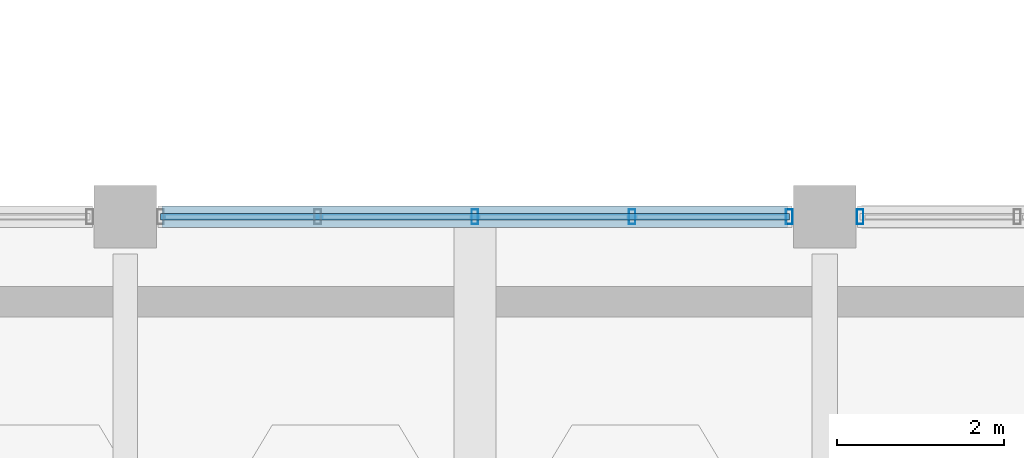
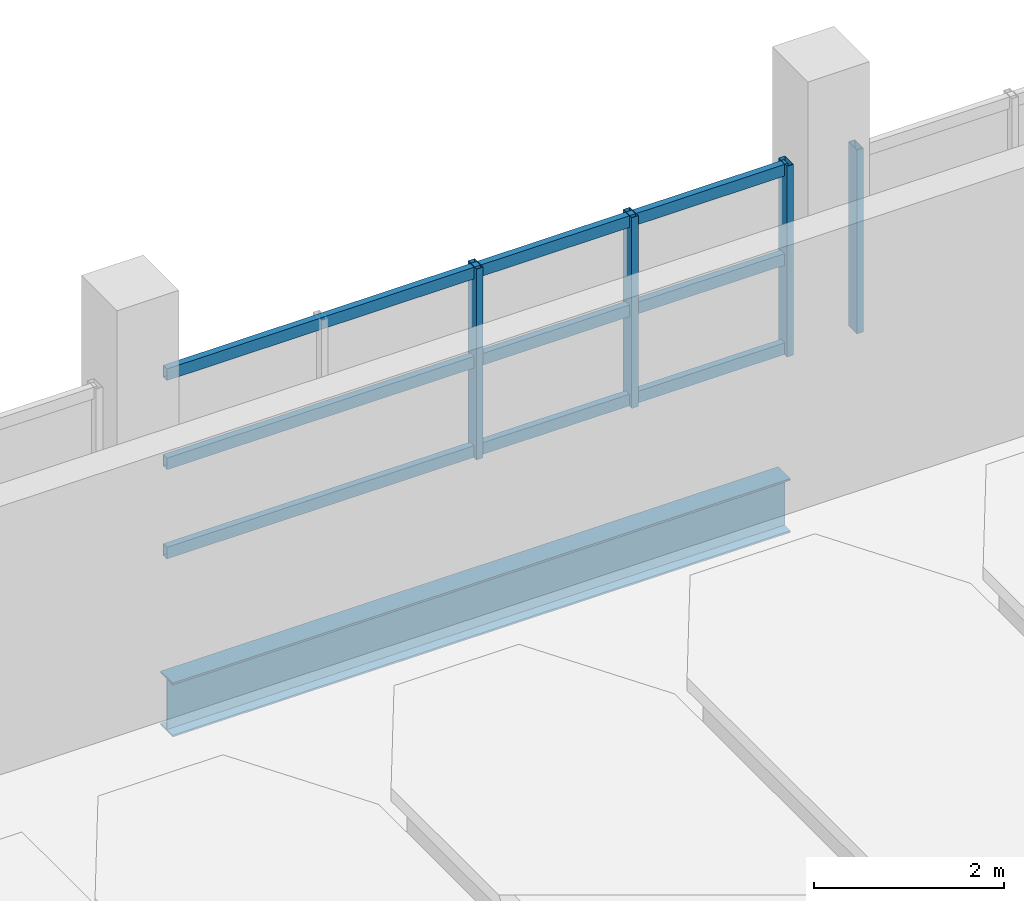
# One storey, part 59 of 117: 7 members, 1 beam, 2 elements without a shape of their own.
"""IFC4 building model written with IfcOpenShell, lengths in metres."""

from ifc_helpers import new_model, si_unit, direction, frame, origin, origin_2d, place, context, subcontext, project, spatial, hollow_rectangle, i_section, extrude, material, material_profile, profile_set, type_object, element, aggregate, save


model = new_model("IFC4")

# Units and contexts
model_context = context("Model", 3, precision=1e-05, world=origin(), true_north=direction((0.0, 1.0)))
body_context = subcontext(model_context, "Body", "Model", "MODEL_VIEW")
ifc_project = project(units=[si_unit("LENGTHUNIT", "METRE"), si_unit("AREAUNIT", "SQUARE_METRE"), si_unit("VOLUMEUNIT", "CUBIC_METRE"), si_unit("PLANEANGLEUNIT", "RADIAN"), si_unit("MASSUNIT", "GRAM", prefix="KILO")], contexts=[model_context])

# Site, building, storey
site_placement = place(None, origin())
site = spatial("IfcSite", under=ifc_project, at=site_placement, CompositionType="ELEMENT")
building_placement = place(site_placement, origin())
building = spatial("IfcBuilding", under=site, at=building_placement, Name="Solvento Point Concert Hall", CompositionType="ELEMENT")
storey_placement = place(building_placement, frame((0.0, 0.0, 5.39990234375)))
storey = spatial("IfcBuildingStorey", under=building, at=storey_placement, Name="L01", CompositionType="ELEMENT", Elevation=5.39990234375)

# Beam
ifc_material_1 = material(Name="Structural Steel ASTM A992 Grade 50", Category="steel")
ifc_material_profile_1 = material_profile(ifc_material_1, i_section(OverallWidth=0.256103515625, OverallDepth=0.693115234375, WebThickness=0.014404296875, FlangeThickness=0.023681640625, at=origin_2d()), Name="W27X114")
ifc_profile_set_1 = profile_set([ifc_material_profile_1], Name="Structural Steel ASTM A992 Grade 50")
beam_type = type_object("IfcBeamType", Name="Girder_W27X114", PredefinedType="USERDEFINED", material=ifc_profile_set_1)
beam_placement = place(storey_placement, frame((167.243896484375, 25.5, -0.7705078125), z_axis=(1.0, 0.0, 0.0), x_axis=(0.0, 1.0, 0.0)))
element("IfcBeam", 1, at=beam_placement, inside=storey, type_object=beam_type, Name="Primary girder B-23 L01", ObjectType="GIRDER", PredefinedType="USERDEFINED", context=body_context, shape_type="SweptSolid", body=[
    extrude(i_section(OverallWidth=0.256103515625, OverallDepth=0.693115234375, WebThickness=0.014404296875, FlangeThickness=0.023681640625, at=origin_2d()), origin(), (0.0, 0.0, 1.0), 7.51220703125),
])

# Curtain wall, members
ifc_material_2 = material(Name="Anodized Bronze Aluminium", Category="aluminium")
curtain_wall_type = type_object("IfcCurtainWallType", Name="CurtainWall_ChamberCircle", PredefinedType="USERDEFINED", material=ifc_material_2)
curtain_wall_1_placement = place(storey_placement, origin())
curtain_wall_1 = element("IfcCurtainWall", 2, at=curtain_wall_1_placement, inside=storey, type_object=curtain_wall_type, Name="Unitised curtain wall CW-32 UCW-L01-078", ObjectType="UNITISED CURTAIN WALL", PredefinedType="USERDEFINED")
ifc_material_3 = material(Name="Anodized Bronze Aluminium", Category="aluminium")
ifc_material_profile_2 = material_profile(ifc_material_3, hollow_rectangle(XDim=0.080078125, YDim=0.179931640625, WallThickness=0.00390625, at=origin_2d()), Name="CW-MUL-80X180")
ifc_profile_set_2 = profile_set([ifc_material_profile_2], Name="Anodized Bronze Aluminium")
member_type_1 = type_object("IfcMemberType", Name="Mullion_80x180", PredefinedType="MULLION", material=ifc_profile_set_2)
member_1_placement = place(storey_placement, frame((171.0, 25.5, 1.1201171875), z_axis=(0.0, 0.0, 1.0), x_axis=(1.0, 0.0, 0.0)))
member_1 = element("IfcMember", 3, at=member_1_placement, type_object=member_type_1, Name="Curtain wall mullion ML-01", PredefinedType="MULLION", context=body_context, shape_type="SweptSolid", body=[
    extrude(hollow_rectangle(XDim=0.080078125, YDim=0.179931640625, WallThickness=0.00390625, at=origin_2d()), origin(), (0.0, 0.0, 1.0), 2.4541015625),
])
member_2_placement = place(storey_placement, frame((172.887451171875, 25.5, 1.1201171875), z_axis=(0.0, 0.0, 1.0), x_axis=(1.0, 0.0, 0.0)))
member_2 = element("IfcMember", 4, at=member_2_placement, type_object=member_type_1, Name="Curtain wall mullion ML-01", PredefinedType="MULLION", context=body_context, shape_type="SweptSolid", body=[
    extrude(hollow_rectangle(XDim=0.080078125, YDim=0.179931640625, WallThickness=0.00390625, at=origin_2d()), origin(), (0.0, 0.0, 1.0), 2.4541015625),
])
member_3_placement = place(storey_placement, frame((174.77490234375, 25.5, 1.1201171875), z_axis=(0.0, 0.0, 1.0), x_axis=(1.0, 0.0, 0.0)))
member_3 = element("IfcMember", 5, at=member_3_placement, type_object=member_type_1, Name="Curtain wall mullion ML-01", PredefinedType="MULLION", context=body_context, shape_type="SweptSolid", body=[
    extrude(hollow_rectangle(XDim=0.080078125, YDim=0.179931640625, WallThickness=0.00390625, at=origin_2d()), origin(), (0.0, 0.0, 1.0), 2.4541015625),
])

# Curtain wall, member
curtain_wall_2_placement = place(storey_placement, origin())
curtain_wall_2 = element("IfcCurtainWall", 6, at=curtain_wall_2_placement, inside=storey, type_object=curtain_wall_type, Name="Unitised curtain wall CW-32 UCW-L01-079", ObjectType="UNITISED CURTAIN WALL", PredefinedType="USERDEFINED")
member_4_placement = place(storey_placement, frame((175.625, 25.5, 1.1201171875), z_axis=(0.0, 0.0, 1.0), x_axis=(1.0, 0.0, 0.0)))
member_4 = element("IfcMember", 7, at=member_4_placement, type_object=member_type_1, Name="Curtain wall mullion ML-01", PredefinedType="MULLION", context=body_context, shape_type="SweptSolid", body=[
    extrude(hollow_rectangle(XDim=0.080078125, YDim=0.179931640625, WallThickness=0.00390625, at=origin_2d()), origin(), (0.0, 0.0, 1.0), 2.364990234375),
])
aggregate(curtain_wall_2, [member_4])

# Member
ifc_material_4 = material(Name="Anodized Bronze Aluminium", Category="aluminium")
ifc_material_profile_3 = material_profile(ifc_material_4, hollow_rectangle(XDim=0.080078125, YDim=0.14990234375, WallThickness=0.00390625, at=origin_2d()), Name="CW-TRN-80X150")
ifc_profile_set_3 = profile_set([ifc_material_profile_3], Name="Anodized Bronze Aluminium")
member_type_2 = type_object("IfcMemberType", Name="Transom_80x150", PredefinedType="USERDEFINED", material=ifc_profile_set_3)
member_5_placement = place(storey_placement, frame((167.22509765625, 25.5, 1.2001953125), z_axis=(1.0, 0.0, 0.0), x_axis=(0.0, 1.0, 0.0)))
member_5 = element("IfcMember", 8, at=member_5_placement, type_object=member_type_2, Name="Curtain wall transom TR-01", ObjectType="TRANSOM", PredefinedType="USERDEFINED", context=body_context, shape_type="SweptSolid", body=[
    extrude(hollow_rectangle(XDim=0.080078125, YDim=0.14990234375, WallThickness=0.00390625, at=origin_2d()), origin(), (0.0, 0.0, 1.0), 7.5498046875),
])

member_6_placement = place(storey_placement, frame((167.22509765625, 25.5, 2.34716796875), z_axis=(1.0, 0.0, 0.0), x_axis=(0.0, 1.0, 0.0)))
member_6 = element("IfcMember", 9, at=member_6_placement, type_object=member_type_2, Name="Curtain wall transom TR-01", ObjectType="TRANSOM", PredefinedType="USERDEFINED", context=body_context, shape_type="SweptSolid", body=[
    extrude(hollow_rectangle(XDim=0.080078125, YDim=0.14990234375, WallThickness=0.00390625, at=origin_2d()), origin(), (0.0, 0.0, 1.0), 7.5498046875),
])

member_7_placement = place(storey_placement, frame((167.22509765625, 25.5, 3.494140625), z_axis=(1.0, 0.0, 0.0), x_axis=(0.0, 1.0, 0.0)))
member_7 = element("IfcMember", 10, at=member_7_placement, type_object=member_type_2, Name="Curtain wall transom TR-01", ObjectType="TRANSOM", PredefinedType="USERDEFINED", context=body_context, shape_type="SweptSolid", body=[
    extrude(hollow_rectangle(XDim=0.080078125, YDim=0.14990234375, WallThickness=0.00390625, at=origin_2d()), origin(), (0.0, 0.0, 1.0), 7.5498046875),
])

aggregate(curtain_wall_1, [member_1, member_2, member_3, member_5, member_6, member_7])

save(model, "model.ifc")
